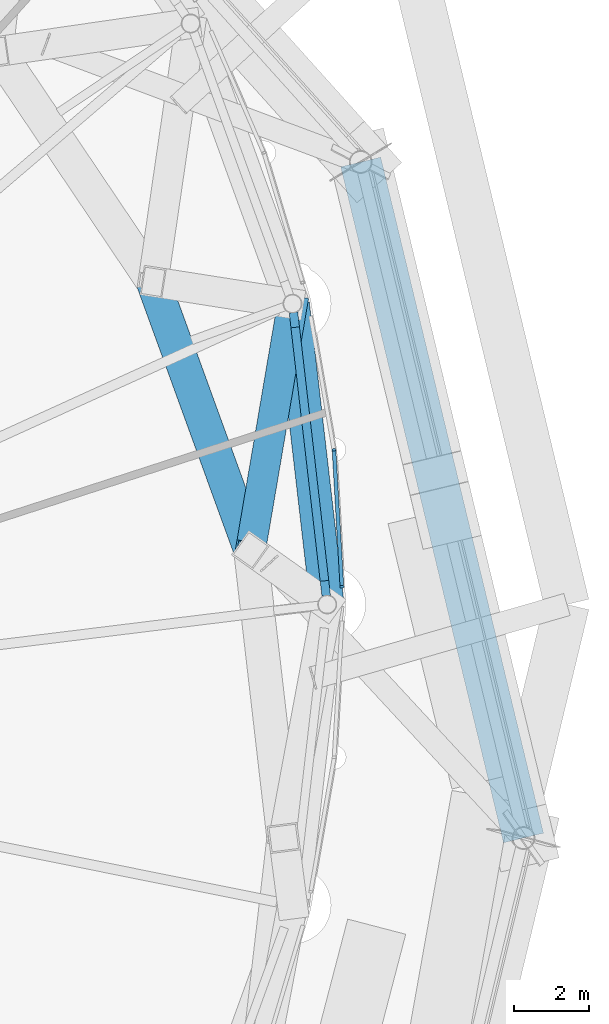
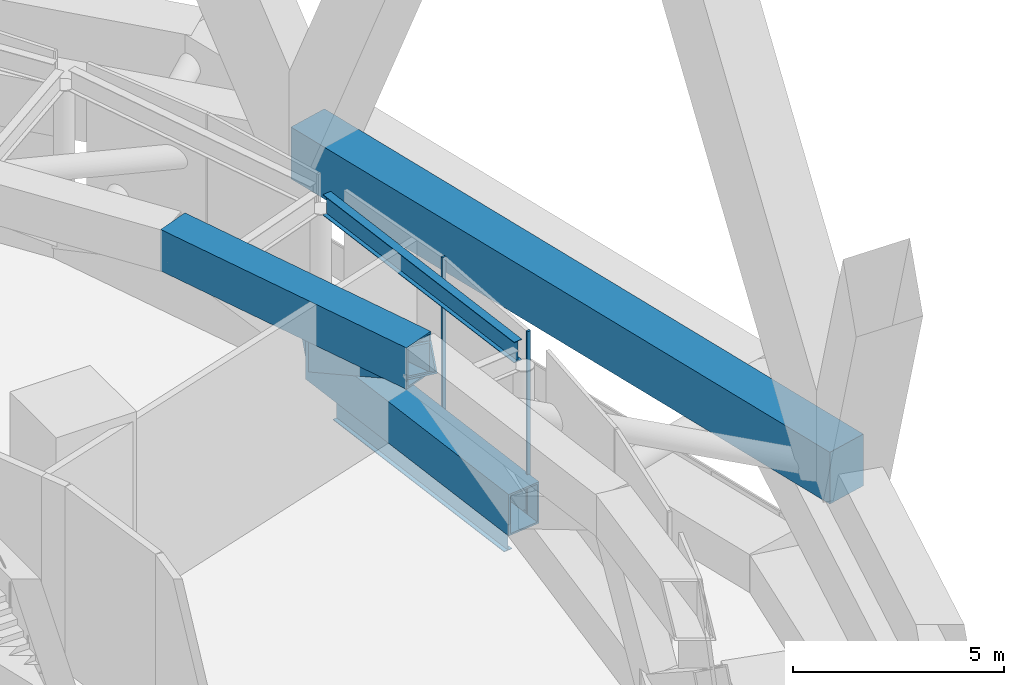
# One storey, part 30 of 65: 5 beams, 4 members, 2 elements without a shape of their own.
"""IFC4 building model written with IfcOpenShell, lengths in metres."""

from ifc_helpers import new_model, si_unit, direction, frame, origin, origin_2d, place, context, subcontext, project, spatial, rectangle, hollow_rectangle, i_section, extrude, material, layer, layer_set, material_profile, profile_set, type_object, element, aggregate, save


model = new_model("IFC4")

# Units and contexts
model_context = context("Model", 3, precision=1e-05, world=origin(), true_north=direction((0.0, 1.0)))
body_context = subcontext(model_context, "Body", "Model", "MODEL_VIEW")
ifc_project = project(units=[si_unit("LENGTHUNIT", "METRE"), si_unit("AREAUNIT", "SQUARE_METRE"), si_unit("VOLUMEUNIT", "CUBIC_METRE"), si_unit("PLANEANGLEUNIT", "RADIAN"), si_unit("MASSUNIT", "GRAM", prefix="KILO")], contexts=[model_context])

# Site, building, storey
site_placement = place(None, origin())
site = spatial("IfcSite", under=ifc_project, at=site_placement, CompositionType="ELEMENT")
building_placement = place(site_placement, origin())
building = spatial("IfcBuilding", under=site, at=building_placement, Name="Nagisa Residences", CompositionType="ELEMENT")
storey_placement = place(building_placement, frame((0.0, 0.0, 114.0)))
storey = spatial("IfcBuildingStorey", under=building, at=storey_placement, Name="L28", CompositionType="ELEMENT", Elevation=114.0)

# Beams
ifc_material_1 = material(Name="Steel ASTM A572 Gr 50", Category="steel")
ifc_material_profile_1 = material_profile(ifc_material_1, hollow_rectangle(XDim=0.89990234375, YDim=1.199951171875, WallThickness=0.050048828125, at=origin_2d()), Name="BX 900x1200x50")
ifc_profile_set_1 = profile_set([ifc_material_profile_1], Name="Steel ASTM A572 Gr 50")
beam_type_1 = type_object("IfcBeamType", Name="Belt chord 2 BX 900x1200x50", PredefinedType="BEAM", material=ifc_profile_set_1)
beam_1_placement = place(storey_placement, frame((25.39501953125, 3.11767578125, 0.60009765625), z_axis=(-0.114688326787, 0.993401523906, 0.0), x_axis=(-0.993401523906, -0.114688326787, 0.0)))
element("IfcBeam", 1, at=beam_1_placement, inside=storey, type_object=beam_type_1, Name="beam:L28:bt2b01", PredefinedType="BEAM", context=body_context, shape_type="SweptSolid", body=[
    extrude(hollow_rectangle(XDim=0.89990234375, YDim=1.199951171875, WallThickness=0.050048828125, at=origin_2d()), origin(), (0.0, 0.0, 1.0), 8.08056640625),
])
beam_2_placement = place(storey_placement, frame((23.347900390625, 4.56787109375, 4.739990234375), z_axis=(-0.341339120312, 0.939940213495, 0.0), x_axis=(-0.939940213495, -0.341339120312, 0.0)))
element("IfcBeam", 2, at=beam_2_placement, inside=storey, type_object=beam_type_1, Name="beam:L28:bt2t02", PredefinedType="BEAM", context=body_context, shape_type="SweptSolid", body=[
    extrude(hollow_rectangle(XDim=0.89990234375, YDim=1.199951171875, WallThickness=0.050048828125, at=origin_2d()), origin(), (0.0, 0.0, 1.0), 7.619384765625),
])
ifc_material_2 = material(Name="Steel ASTM A572 Gr 50", Category="steel")
ifc_material_profile_2 = material_profile(ifc_material_2, hollow_rectangle(XDim=0.800048828125, YDim=0.800048828125, WallThickness=0.044921875, at=origin_2d()), Name="BX 800x800x45")
ifc_profile_set_2 = profile_set([ifc_material_profile_2], Name="Steel ASTM A572 Gr 50")
beam_type_2 = type_object("IfcBeamType", Name="Belt diagonal 2 BX 800x800x45", PredefinedType="BEAM", material=ifc_profile_set_2)
beam_3_placement = place(storey_placement, frame((24.46826171875, 11.14501953125, 0.60009765625), z_axis=(-0.142686111086, -0.837647381272, 0.527245235495), x_axis=(0.985800169314, -0.167922679175, 0.0)))
element("IfcBeam", 3, at=beam_3_placement, inside=storey, type_object=beam_type_2, Name="beam:L28:bt2da02", PredefinedType="BEAM", context=body_context, shape_type="SweptSolid", body=[
    extrude(hollow_rectangle(XDim=0.800048828125, YDim=0.800048828125, WallThickness=0.044921875, at=origin_2d()), origin(), (0.0, 0.0, 1.0), 7.85205078125),
])

# Curtain wall, member
ifc_material_3 = material(Name="Aluminium curtain wall system", Category="aluminium")
ifc_layer = layer(ifc_material_3, 0.159912109375)
ifc_layer_set = layer_set([ifc_layer], Name="CW5 CURTAIN WALL")
curtain_wall_type = type_object("IfcCurtainWallType", Name="CW5 CURTAIN WALL", PredefinedType="NOTDEFINED", material=ifc_layer_set)
curtain_wall_1_placement = place(storey_placement, origin())
curtain_wall_1 = element("IfcCurtainWall", 4, at=curtain_wall_1_placement, inside=storey, type_object=curtain_wall_type, Name="cw:CW5:L28:00", PredefinedType="NOTDEFINED")
ifc_material_4 = material(Name="Aluminium", Category="aluminium")
ifc_material_profile_3 = material_profile(ifc_material_4, rectangle(XDim=0.10009765625, YDim=0.06005859375, at=origin_2d()), Name="CW5 MULLION 100x60")
ifc_profile_set_3 = profile_set([ifc_material_profile_3], Name="Aluminium")
member_type_1 = type_object("IfcMemberType", Name="CW5 MULLION 100x60", PredefinedType="MULLION", material=ifc_profile_set_3)
member_1_placement = place(storey_placement, frame((25.78759765625, 3.59228515625, 0.0), z_axis=(0.0, 0.0, 1.0), x_axis=(-0.998345305184, -0.057503492216, 0.0)))
member_1 = element("IfcMember", 5, at=member_1_placement, type_object=member_type_1, Name="CW5 mullion", PredefinedType="MULLION", context=body_context, shape_type="SweptSolid", body=[
    extrude(rectangle(XDim=0.10009765625, YDim=0.06005859375, at=origin_2d()), origin(), (0.0, 0.0, 1.0), 5.340087890625),
])

curtain_wall_2_placement = place(storey_placement, origin())
curtain_wall_2 = element("IfcCurtainWall", 6, at=curtain_wall_2_placement, inside=storey, type_object=curtain_wall_type, Name="cw:CW5:L28:01", PredefinedType="NOTDEFINED")
member_2_placement = place(storey_placement, frame((25.573974609375, 7.2470703125, 0.0), z_axis=(0.0, 0.0, 1.0), x_axis=(-0.985063604377, -0.172190868898, 0.0)))
member_2 = element("IfcMember", 7, at=member_2_placement, type_object=member_type_1, Name="CW5 mullion", PredefinedType="MULLION", context=body_context, shape_type="SweptSolid", body=[
    extrude(rectangle(XDim=0.10009765625, YDim=0.06005859375, at=origin_2d()), origin(), (0.0, 0.0, 1.0), 5.340087890625),
])
aggregate(curtain_wall_2, [member_2])

# Member
ifc_material_5 = material(Name="Aluminium", Category="aluminium")
ifc_material_profile_4 = material_profile(ifc_material_5, rectangle(XDim=0.10009765625, YDim=0.1201171875, at=origin_2d()), Name="CW5 TRANSOM 100x120")
ifc_profile_set_4 = profile_set([ifc_material_profile_4], Name="Aluminium")
member_type_2 = type_object("IfcMemberType", Name="CW5 TRANSOM 100x120", PredefinedType="USERDEFINED", material=ifc_profile_set_4)
member_3_placement = place(storey_placement, frame((25.789306640625, 3.562255859375, 0.06005859375), z_axis=(-0.057536613917, 0.998343396862, 0.0), x_axis=(-0.998343396862, -0.057536613917, 0.0)))
member_3 = element("IfcMember", 8, at=member_3_placement, type_object=member_type_2, Name="CW5 transom", ObjectType="TRANSOM", PredefinedType="USERDEFINED", context=body_context, shape_type="SweptSolid", body=[
    extrude(rectangle(XDim=0.10009765625, YDim=0.1201171875, at=origin_2d()), origin(), (0.0, 0.0, 1.0), 3.67041015625),
])

aggregate(curtain_wall_1, [member_1, member_3])

ifc_material_6 = material(Name="Concrete C80", Category="concrete")
ifc_material_profile_5 = material_profile(ifc_material_6, rectangle(XDim=1.10009765625, YDim=1.5, at=origin_2d()), Name="C80 1100x1500")
ifc_profile_set_5 = profile_set([ifc_material_profile_5], Name="Concrete C80")
member_type_3 = type_object("IfcMemberType", Name="Cage ring 3 C80 1100x1500", PredefinedType="CHORD", material=ifc_profile_set_5)
member_4_placement = place(storey_placement, frame((30.635009765625, -3.11767578125, 3.699951171875), z_axis=(-0.234090672254, 0.972214769052, 0.0), x_axis=(-0.972214769052, -0.234090672254, 0.0)))
element("IfcMember", 9, at=member_4_placement, inside=storey, type_object=member_type_3, Name="beam:L28:cg3r001", PredefinedType="CHORD", context=body_context, shape_type="SweptSolid", body=[
    extrude(rectangle(XDim=1.10009765625, YDim=1.5, at=origin_2d()), origin(), (0.0, 0.0, 1.0), 18.563232421875),
])

# Beams
ifc_material_7 = material(Name="Steel ASTM A572 Gr 50", Category="steel")
ifc_material_profile_6 = material_profile(ifc_material_7, i_section(OverallWidth=0.22802734375, OverallDepth=0.60302734375, WebThickness=0.010498046875, FlangeThickness=0.014892578125, at=origin_2d()), Name="W610x101")
ifc_profile_set_6 = profile_set([ifc_material_profile_6], Name="Steel ASTM A572 Gr 50")
beam_type_3 = type_object("IfcBeamType", Name="Garden edge beam W610x101", PredefinedType="BEAM", material=ifc_profile_set_6)
beam_4_placement = place(storey_placement, frame((25.3681640625, 3.35009765625, 5.03857421875), z_axis=(-0.11468253616, 0.993402192418, 0.0), x_axis=(-0.993402192418, -0.11468253616, 0.0)))
element("IfcBeam", 10, at=beam_4_placement, inside=storey, type_object=beam_type_3, Name="beam:L28:bt2ge01", PredefinedType="BEAM", context=body_context, shape_type="SweptSolid", body=[
    extrude(i_section(OverallWidth=0.22802734375, OverallDepth=0.60302734375, WebThickness=0.010498046875, FlangeThickness=0.014892578125, at=origin_2d()), origin(), (0.0, 0.0, 1.0), 7.61279296875),
])
ifc_material_8 = material(Name="Steel ASTM A572 Gr 50", Category="steel")
ifc_material_profile_7 = material_profile(ifc_material_8, i_section(OverallWidth=0.22900390625, OverallDepth=0.612060546875, WebThickness=0.011962890625, FlangeThickness=0.01953125, at=origin_2d()), Name="W610x125")
ifc_profile_set_7 = profile_set([ifc_material_profile_7], Name="Steel ASTM A572 Gr 50")
beam_type_4 = type_object("IfcBeamType", Name="Perimeter ring beam W610x125", PredefinedType="BEAM", material=ifc_profile_set_7)
beam_5_placement = place(storey_placement, frame((25.322265625, 3.747802734375, -0.656005859375), z_axis=(-0.114690766503, 0.993401242237, 0.0), x_axis=(-0.993401242237, -0.114690766503, 0.0)))
element("IfcBeam", 11, at=beam_5_placement, inside=storey, type_object=beam_type_4, Name="beam:L28:pb01", PredefinedType="BEAM", context=body_context, shape_type="SweptSolid", body=[
    extrude(i_section(OverallWidth=0.22900390625, OverallDepth=0.612060546875, WebThickness=0.011962890625, FlangeThickness=0.01953125, at=origin_2d()), origin(), (0.0, 0.0, 1.0), 6.811767578125),
])

save(model, "model.ifc")
